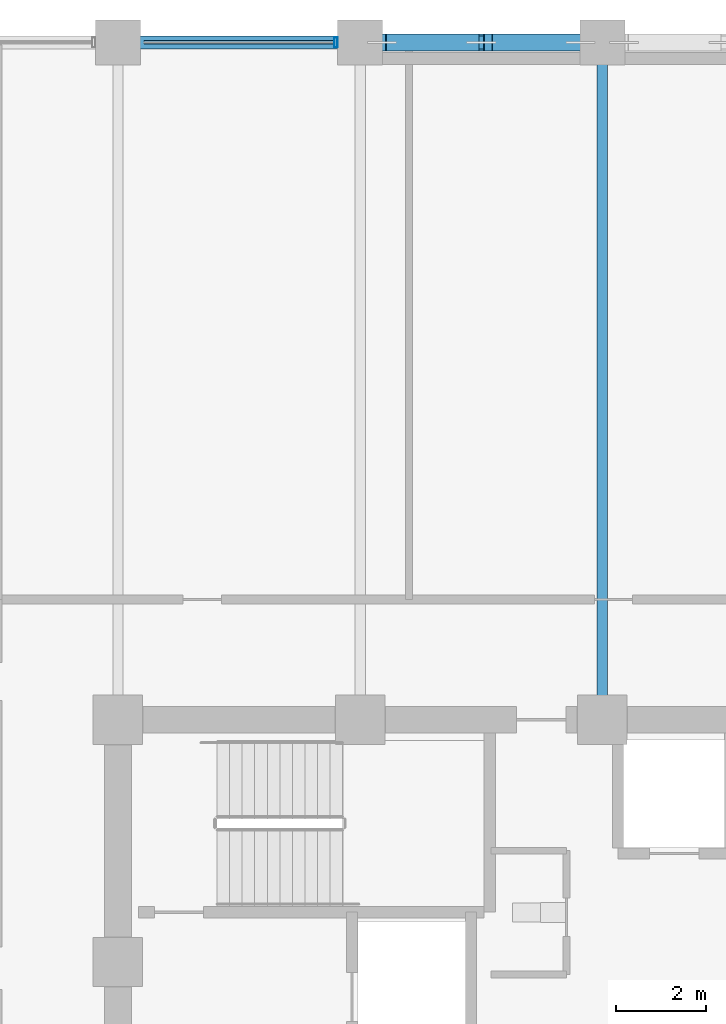
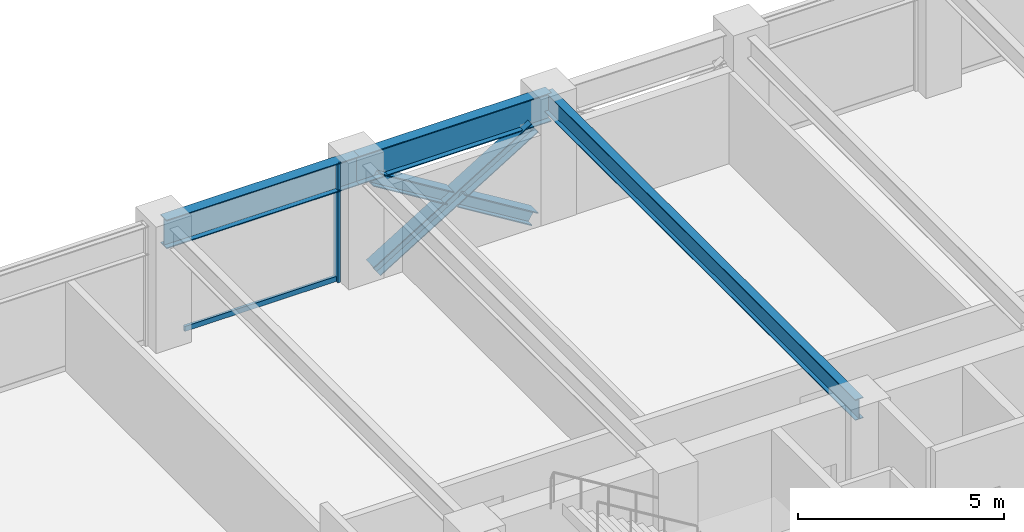
# One storey, part 13 of 23: 5 members, 3 beams, 1 element without a shape of its own.
"""IFC4 building model written with IfcOpenShell, lengths in metres."""

from ifc_helpers import new_model, si_unit, direction, frame, origin, origin_2d, place, context, subcontext, project, spatial, hollow_rectangle, i_section, extrude, material, layer, layer_set, material_profile, profile_set, type_object, element, aggregate, save


model = new_model("IFC4")

# Units and contexts
model_context = context("Model", 3, precision=1e-05, world=origin(), true_north=direction((0.0, 1.0)))
body_context = subcontext(model_context, "Body", "Model", "MODEL_VIEW")
ifc_project = project(units=[si_unit("LENGTHUNIT", "METRE"), si_unit("AREAUNIT", "SQUARE_METRE"), si_unit("VOLUMEUNIT", "CUBIC_METRE"), si_unit("PLANEANGLEUNIT", "RADIAN"), si_unit("MASSUNIT", "GRAM", prefix="KILO")], contexts=[model_context])

# Site, building, storey
site_placement = place(None, origin())
site = spatial("IfcSite", under=ifc_project, at=site_placement, CompositionType="ELEMENT")
building_placement = place(site_placement, origin())
building = spatial("IfcBuilding", under=site, at=building_placement, Name="Surkhivell Harbour Commons", CompositionType="ELEMENT")
storey_placement = place(building_placement, frame((0.0, 0.0, 135.75)))
storey = spatial("IfcBuildingStorey", under=building, at=storey_placement, Name="L35", CompositionType="ELEMENT", Elevation=135.75)

# Beams
ifc_material_1 = material(Name="Steel S355", Category="steel")
ifc_material_profile_1 = material_profile(ifc_material_1, i_section(OverallWidth=0.22998046875, OverallDepth=0.616943359375, WebThickness=0.01318359375, FlangeThickness=0.022216796875, at=origin_2d()), Name="UB610x229x140")
ifc_profile_set_1 = profile_set([ifc_material_profile_1], Name="Steel S355")
beam_type_1 = type_object("IfcBeamType", Name="BM-GRD-610B", PredefinedType="BEAM", material=ifc_profile_set_1)
beam_1_placement = place(storey_placement, frame((0.0, 10.800048828125, 3.261474609375), z_axis=(0.0, 1.0, 0.0), x_axis=(-1.0, 0.0, 0.0)))
element("IfcBeam", 1, at=beam_1_placement, inside=storey, type_object=beam_type_1, Name="L35 Floor Girder (0.0,10.8)", PredefinedType="BEAM", context=body_context, shape_type="SweptSolid", body=[
    extrude(i_section(OverallWidth=0.22998046875, OverallDepth=0.616943359375, WebThickness=0.01318359375, FlangeThickness=0.022216796875, at=origin_2d()), origin(), (0.0, 0.0, 1.0), 15.099853515625),
])
ifc_material_2 = material(Name="Steel S460", Category="steel")
ifc_material_profile_2 = material_profile(ifc_material_2, i_section(OverallWidth=0.2939453125, OverallDepth=0.85107421875, WebThickness=0.01611328125, FlangeThickness=0.02685546875, at=origin_2d()), Name="UB838x292x226")
ifc_profile_set_2 = profile_set([ifc_material_profile_2], Name="Steel S460")
beam_type_2 = type_object("IfcBeamType", Name="BM-SPN-838", PredefinedType="SPANDREL", material=ifc_profile_set_2)
beam_2_placement = place(storey_placement, frame((-10.800048828125, 25.89990234375, 3.14453125), z_axis=(1.0, 0.0, 0.0), x_axis=(0.0, 1.0, 0.0)))
element("IfcBeam", 2, at=beam_2_placement, inside=storey, type_object=beam_type_2, Name="L35 Tube Spandrel (-10.8,25.9)", PredefinedType="SPANDREL", context=body_context, shape_type="SweptSolid", body=[
    extrude(i_section(OverallWidth=0.2939453125, OverallDepth=0.85107421875, WebThickness=0.01611328125, FlangeThickness=0.02685546875, at=origin_2d()), origin(), (0.0, 0.0, 1.0), 5.400146484375),
])
beam_3_placement = place(storey_placement, frame((-5.39990234375, 25.89990234375, 3.14453125), z_axis=(1.0, 0.0, 0.0), x_axis=(0.0, 1.0, 0.0)))
element("IfcBeam", 3, at=beam_3_placement, inside=storey, type_object=beam_type_2, Name="L35 Tube Spandrel (-5.4,25.9)", PredefinedType="SPANDREL", context=body_context, shape_type="SweptSolid", body=[
    extrude(i_section(OverallWidth=0.2939453125, OverallDepth=0.85107421875, WebThickness=0.01611328125, FlangeThickness=0.02685546875, at=origin_2d()), origin(), (0.0, 0.0, 1.0), 5.39990234375),
])

# Curtain wall, members
ifc_material_3 = material(Name="Anodised pale-metal aluminium and insulated glazing", Category="aluminium")
ifc_layer = layer(ifc_material_3, 0.205078125)
ifc_layer_set = layer_set([ifc_layer], Name="Anodised pale-metal aluminium and insulated glazing")
curtain_wall_type = type_object("IfcCurtainWallType", Name="CW-SYS-Z2", PredefinedType="NOTDEFINED", material=ifc_layer_set)
curtain_wall_placement = place(storey_placement, origin())
curtain_wall = element("IfcCurtainWall", 4, at=curtain_wall_placement, inside=storey, type_object=curtain_wall_type, Name="L35 Curtain Wall CW-L35-E07S2", PredefinedType="NOTDEFINED")
ifc_material_4 = material(Name="Anodised pale-metal aluminium alloy 6063-T6", Category="aluminium")
ifc_material_profile_3 = material_profile(ifc_material_4, hollow_rectangle(XDim=0.074951171875, YDim=0.219970703125, WallThickness=0.00390625, at=origin_2d()), Name="ALU-MULL-75x220")
ifc_profile_set_3 = profile_set([ifc_material_profile_3], Name="Anodised pale-metal aluminium alloy 6063-T6")
member_type_1 = type_object("IfcMemberType", Name="CWM-220", PredefinedType="MULLION", material=ifc_profile_set_3)
member_1_placement = place(storey_placement, frame((-5.939453125, 25.89990234375, 0.0), z_axis=(0.0, 0.0, 1.0), x_axis=(-1.0, 0.0, 0.0)))
member_1 = element("IfcMember", 5, at=member_1_placement, type_object=member_type_1, Name="CW-Z2 mullion 1", PredefinedType="MULLION", context=body_context, shape_type="SweptSolid", body=[
    extrude(hollow_rectangle(XDim=0.074951171875, YDim=0.219970703125, WallThickness=0.00390625, at=origin_2d()), origin(), (0.0, 0.0, 1.0), 3.570068359375),
])
ifc_material_profile_4 = material_profile(ifc_material_4, hollow_rectangle(XDim=0.074951171875, YDim=0.14990234375, WallThickness=0.00341796875, at=origin_2d()), Name="ALU-TRAN-75x150")
ifc_profile_set_4 = profile_set([ifc_material_profile_4], Name="Anodised pale-metal aluminium alloy 6063-T6")
member_type_2 = type_object("IfcMemberType", Name="CWT-150", PredefinedType="USERDEFINED", material=ifc_profile_set_4)
member_2_placement = place(storey_placement, frame((-5.97705078125, 25.89990234375, 0.074951171875), z_axis=(-1.0, 0.0, 0.0), x_axis=(0.0, -1.0, 0.0)))
member_2 = element("IfcMember", 6, at=member_2_placement, type_object=member_type_2, Name="CW-Z2 transom 1.1", ObjectType="TRANSOM", PredefinedType="USERDEFINED", context=body_context, shape_type="SweptSolid", body=[
    extrude(hollow_rectangle(XDim=0.074951171875, YDim=0.14990234375, WallThickness=0.00341796875, at=origin_2d()), origin(), (0.0, 0.0, 1.0), 4.245849609375),
])
aggregate(curtain_wall, [member_1, member_2])

# Members
ifc_material_profile_5 = material_profile(ifc_material_2, i_section(OverallWidth=0.375, OverallDepth=0.375, WebThickness=0.0166015625, FlangeThickness=0.027099609375, at=origin_2d()), Name="UC356x368x202")
ifc_profile_set_5 = profile_set([ifc_material_profile_5], Name="Steel S460")
member_type_3 = type_object("IfcMemberType", Name="MEM-BRC-UC356", PredefinedType="BRACE", material=ifc_profile_set_5)
member_3_placement = place(storey_placement, frame((-4.9150390625, 25.89990234375, 0.008056640625), z_axis=(0.852624888477, 0.0, 0.522523491864), x_axis=(0.0, 1.0, 0.0)))
element("IfcMember", 7, at=member_3_placement, inside=storey, type_object=member_type_3, Name="L35 Perimeter Mega-Brace MB- 01", PredefinedType="BRACE", context=body_context, shape_type="SweptSolid", body=[
    extrude(i_section(OverallWidth=0.375, OverallDepth=0.375, WebThickness=0.0166015625, FlangeThickness=0.027099609375, at=origin_2d()), origin(), (0.0, 0.0, 1.0), 5.195556640625),
])
for number, where, z_axis, x_axis, name in (
    (8, (-0.485107421875, 25.89990234375, 0.008056640625), (-0.852589641581, 0.0, 0.522581001443), (0.0, -1.0, 0.0), "L35 Perimeter Mega-Brace MB- 02"),
    (9, (-2.853515625, 25.89990234375, 1.459716796875), (-0.852662200332, 0.0, 0.522462603567), (0.0, -1.0, 0.0), "L35 Perimeter Mega-Brace MB- 03"),
):
    element("IfcMember", number, at=place(storey_placement, frame(where, z_axis=z_axis, x_axis=x_axis)), inside=storey, type_object=member_type_3, Name=name, PredefinedType="BRACE", context=body_context, shape_type="SweptSolid", body=[
        extrude(i_section(OverallWidth=0.375, OverallDepth=0.375, WebThickness=0.0166015625, FlangeThickness=0.027099609375, at=origin_2d()), origin(), (0.0, 0.0, 1.0), 2.417724609375),
    ])

save(model, "model.ifc")
